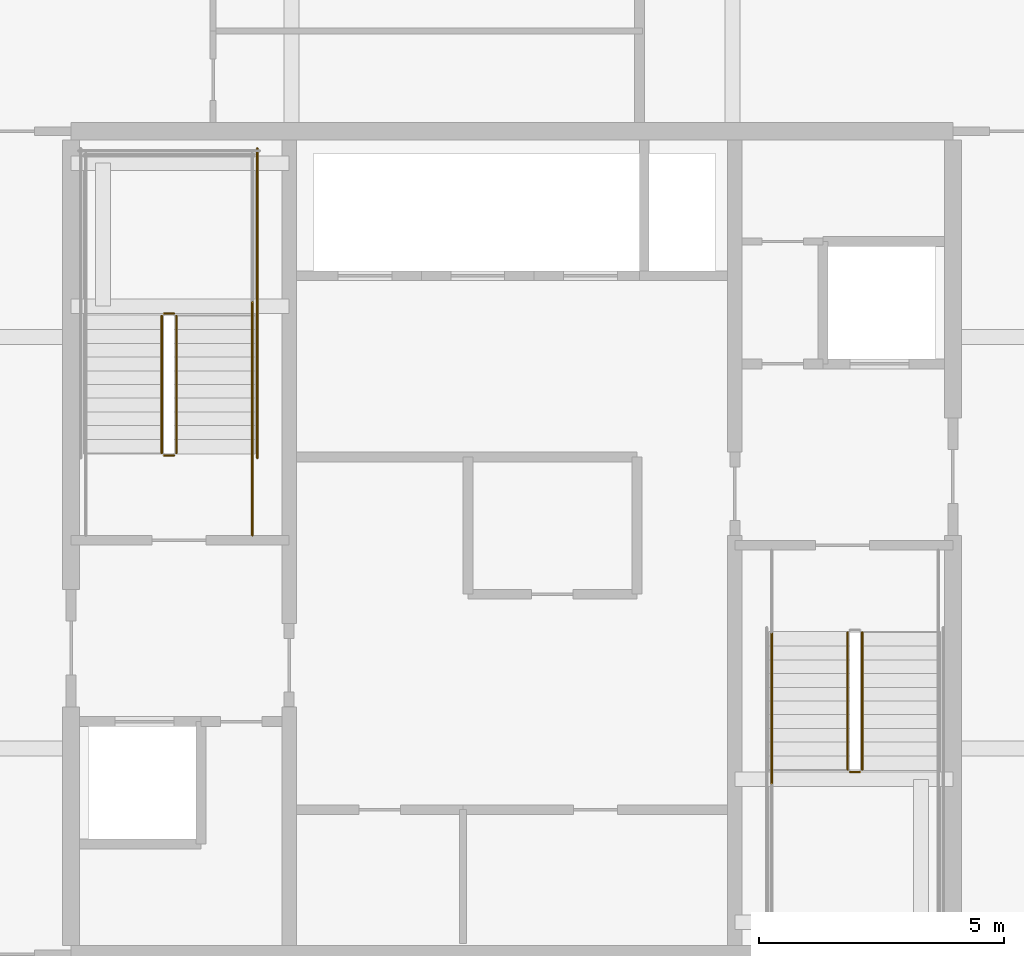
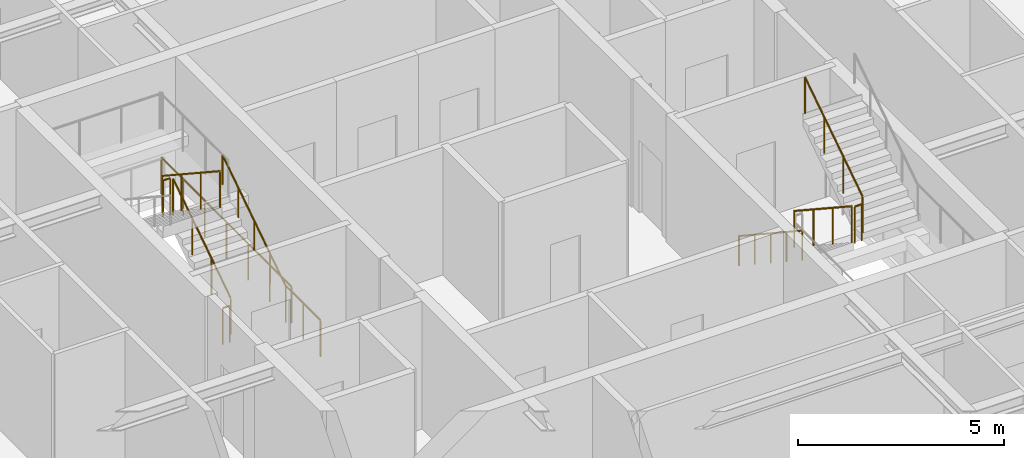
# One storey, part 38 of 41: 11 railings.
"""IFC4 building model written with IfcOpenShell, lengths in metres."""

from ifc_helpers import new_model, si_unit, direction, frame, origin, origin_2d, place, context, subcontext, project, spatial, circle, extrude, material, type_object, element, save


model = new_model("IFC4")

# Units and contexts
model_context = context("Model", 3, precision=1e-05, world=origin(), true_north=direction((0.0, 1.0)))
body_context = subcontext(model_context, "Body", "Model", "MODEL_VIEW")
ifc_project = project(units=[si_unit("LENGTHUNIT", "METRE"), si_unit("AREAUNIT", "SQUARE_METRE"), si_unit("VOLUMEUNIT", "CUBIC_METRE"), si_unit("PLANEANGLEUNIT", "RADIAN"), si_unit("MASSUNIT", "GRAM", prefix="KILO")], contexts=[model_context])

# Site, building, storey
site_placement = place(None, origin())
site = spatial("IfcSite", under=ifc_project, at=site_placement, CompositionType="ELEMENT")
building_placement = place(site_placement, origin())
building = spatial("IfcBuilding", under=site, at=building_placement, Name="Serunith Strait Residences", CompositionType="ELEMENT")
storey_placement = place(building_placement, frame((0.0, 0.0, 301.550048828125)))
storey = spatial("IfcBuildingStorey", under=building, at=storey_placement, Name="L75", CompositionType="ELEMENT", Elevation=301.550048828125)

# Railings
ifc_material = material(Name="Brushed stainless steel 316L", Category="steel")
railing_type_1 = type_object("IfcRailingType", Name="RLG-STAIR-GUARD", PredefinedType="BALUSTRADE", material=ifc_material)
railing_1_placement = place(storey_placement, frame((25.550048828125, 27.030029296875, 0.18408203125)))
element("IfcRailing", 1, at=railing_1_placement, inside=storey, type_object=railing_type_1, Name="L75 ST-1 stair guard 1", PredefinedType="BALUSTRADE", context=body_context, shape_type="SweptSolid", body=[
    extrude(circle(Radius=0.02392578125, at=origin_2d()), frame((0.0, 0.001708984375, 1.0771484375), z_axis=(0.0, 0.835597507184, 0.549342157483), x_axis=(-1.0, 0.0, 0.0)), (0.0, 0.0, 1.0), 3.346923828125),
    extrude(circle(Radius=0.02099609375, at=origin_2d()), origin(), (0.0, 0.0, 1.0), 1.050048828125),
    extrude(circle(Radius=0.02099609375, at=origin_2d()), frame((0.0, 0.933349609375, 0.613525390625)), (0.0, 0.0, 1.0), 1.050048828125),
    extrude(circle(Radius=0.02099609375, at=origin_2d()), frame((0.0, 1.86669921875, 1.227294921875)), (0.0, 0.0, 1.0), 1.050048828125),
    extrude(circle(Radius=0.02099609375, at=origin_2d()), frame((0.0, 2.800048828125, 1.8408203125)), (0.0, 0.0, 1.0), 1.050048828125),
])
railing_2_placement = place(storey_placement, frame((25.5, 29.8798828125, 2.02490234375)))
element("IfcRailing", 2, at=railing_2_placement, inside=storey, type_object=railing_type_1, Name="L75 ST-1 stair guard 2", PredefinedType="BALUSTRADE", context=body_context, shape_type="SweptSolid", body=[
    extrude(circle(Radius=0.02392578125, at=origin_2d()), frame((-0.001953125, 0.0, 1.076171875), z_axis=(-1.0, 0.0, 0.0), x_axis=(0.0, -1.0, 0.0)), (0.0, 0.0, 1.0), 0.196044921875),
    extrude(circle(Radius=0.02099609375, at=origin_2d()), origin(), (0.0, 0.0, 1.0), 1.050048828125),
    extrude(circle(Radius=0.02099609375, at=origin_2d()), frame((-0.199951171875, 0.0, 0.0)), (0.0, 0.0, 1.0), 1.050048828125),
])
railing_3_placement = place(storey_placement, frame((25.25, 29.830078125, 2.208984375)))
element("IfcRailing", 3, at=railing_3_placement, inside=storey, type_object=railing_type_1, Name="L75 ST-1 stair guard 6", PredefinedType="BALUSTRADE", context=body_context, shape_type="SweptSolid", body=[
    extrude(circle(Radius=0.02392578125, at=origin_2d()), frame((0.0, -0.001708984375, 1.0771484375), z_axis=(0.0, -0.83556406348, 0.549393024911), x_axis=(1.0, 0.0, 0.0)), (0.0, 0.0, 1.0), 3.34716796875),
    extrude(circle(Radius=0.02099609375, at=origin_2d()), origin(), (0.0, 0.0, 1.0), 1.050048828125),
    extrude(circle(Radius=0.02099609375, at=origin_2d()), frame((0.0, -0.933349609375, 0.61376953125)), (0.0, 0.0, 1.0), 1.050048828125),
    extrude(circle(Radius=0.02099609375, at=origin_2d()), frame((0.0, -1.86669921875, 1.227294921875)), (0.0, 0.0, 1.0), 1.050048828125),
    extrude(circle(Radius=0.02099609375, at=origin_2d()), frame((0.0, -2.800048828125, 1.841064453125)), (0.0, 0.0, 1.0), 1.050048828125),
])
railing_4_placement = place(storey_placement, frame((25.5, 26.97998046875, 0.0)))
element("IfcRailing", 4, at=railing_4_placement, inside=storey, type_object=railing_type_1, Name="L75 ST-1 stair guard 7", PredefinedType="BALUSTRADE", context=body_context, shape_type="SweptSolid", body=[
    extrude(circle(Radius=0.02392578125, at=origin_2d()), frame((-0.001953125, 0.0, 1.076171875), z_axis=(-1.0, 0.0, 0.0), x_axis=(0.0, -1.0, 0.0)), (0.0, 0.0, 1.0), 0.196044921875),
    extrude(circle(Radius=0.02099609375, at=origin_2d()), origin(), (0.0, 0.0, 1.0), 1.050048828125),
    extrude(circle(Radius=0.02099609375, at=origin_2d()), frame((-0.199951171875, 0.0, 0.0)), (0.0, 0.0, 1.0), 1.050048828125),
])
railing_5_placement = place(storey_placement, frame((27.10009765625, 25.35009765625, 0.0)))
element("IfcRailing", 5, at=railing_5_placement, inside=storey, type_object=railing_type_1, Name="L75 ST-1 stair guard 8", PredefinedType="BALUSTRADE", context=body_context, shape_type="SweptSolid", body=[
    extrude(circle(Radius=0.02392578125, at=origin_2d()), frame((0.0, 0.001953125, 1.076171875), z_axis=(0.0, 1.0, 0.0), x_axis=(-1.0, 0.0, 0.0)), (0.0, 0.0, 1.0), 1.676025390625),
    extrude(circle(Radius=0.02099609375, at=origin_2d()), origin(), (0.0, 0.0, 1.0), 1.050048828125),
    extrude(circle(Radius=0.02099609375, at=origin_2d()), frame((0.0, 0.83984375, 0.0)), (0.0, 0.0, 1.0), 1.050048828125),
    extrude(circle(Radius=0.02099609375, at=origin_2d()), frame((0.0, 1.679931640625, 0.0)), (0.0, 0.0, 1.0), 1.050048828125),
])
railing_6_placement = place(storey_placement, frame((27.199951171875, 26.929931640625, 0.0)))
element("IfcRailing", 6, at=railing_6_placement, inside=storey, type_object=railing_type_1, Name="L75 ST-1 stair guard 10", PredefinedType="BALUSTRADE", context=body_context, shape_type="SweptSolid", body=[
    extrude(circle(Radius=0.02392578125, at=origin_2d()), frame((0.0, 0.001953125, 1.076171875), z_axis=(0.0, 1.0, 0.0), x_axis=(-1.0, 0.0, 0.0)), (0.0, 0.0, 1.0), 6.316162109375),
    extrude(circle(Radius=0.02099609375, at=origin_2d()), origin(), (0.0, 0.0, 1.0), 1.050048828125),
    extrude(circle(Radius=0.02099609375, at=origin_2d()), frame((0.0, 1.05322265625, 0.0)), (0.0, 0.0, 1.0), 1.050048828125),
    extrude(circle(Radius=0.02099609375, at=origin_2d()), frame((0.0, 2.106689453125, 0.0)), (0.0, 0.0, 1.0), 1.050048828125),
    extrude(circle(Radius=0.02099609375, at=origin_2d()), frame((0.0, 3.16015625, 0.0)), (0.0, 0.0, 1.0), 1.050048828125),
    extrude(circle(Radius=0.02099609375, at=origin_2d()), frame((0.0, 4.21337890625, 0.0)), (0.0, 0.0, 1.0), 1.050048828125),
    extrude(circle(Radius=0.02099609375, at=origin_2d()), frame((0.0, 5.2666015625, 0.0)), (0.0, 0.0, 1.0), 1.050048828125),
    extrude(circle(Radius=0.02099609375, at=origin_2d()), frame((0.0, 6.320068359375, 0.0)), (0.0, 0.0, 1.0), 1.050048828125),
])
railing_7_placement = place(storey_placement, frame((39.25, 23.3701171875, 0.18408203125)))
element("IfcRailing", 7, at=railing_7_placement, inside=storey, type_object=railing_type_1, Name="L75 ST-2 stair guard 1", PredefinedType="BALUSTRADE", context=body_context, shape_type="SweptSolid", body=[
    extrude(circle(Radius=0.02392578125, at=origin_2d()), frame((0.0, -0.001708984375, 1.0771484375), z_axis=(0.0, -0.835597507184, 0.549342157483), x_axis=(1.0, 0.0, 0.0)), (0.0, 0.0, 1.0), 3.346923828125),
    extrude(circle(Radius=0.02099609375, at=origin_2d()), origin(), (0.0, 0.0, 1.0), 1.050048828125),
    extrude(circle(Radius=0.02099609375, at=origin_2d()), frame((0.0, -0.933349609375, 0.613525390625)), (0.0, 0.0, 1.0), 1.050048828125),
    extrude(circle(Radius=0.02099609375, at=origin_2d()), frame((0.0, -1.86669921875, 1.227294921875)), (0.0, 0.0, 1.0), 1.050048828125),
    extrude(circle(Radius=0.02099609375, at=origin_2d()), frame((0.0, -2.800048828125, 1.8408203125)), (0.0, 0.0, 1.0), 1.050048828125),
])
railing_8_placement = place(storey_placement, frame((39.300048828125, 20.52001953125, 2.02490234375)))
element("IfcRailing", 8, at=railing_8_placement, inside=storey, type_object=railing_type_1, Name="L75 ST-2 stair guard 2", PredefinedType="BALUSTRADE", context=body_context, shape_type="SweptSolid", body=[
    extrude(circle(Radius=0.02392578125, at=origin_2d()), frame((0.001953125, 0.0, 1.076171875), z_axis=(1.0, 0.0, 0.0), x_axis=(0.0, 1.0, 0.0)), (0.0, 0.0, 1.0), 0.196044921875),
    extrude(circle(Radius=0.02099609375, at=origin_2d()), origin(), (0.0, 0.0, 1.0), 1.050048828125),
    extrude(circle(Radius=0.02099609375, at=origin_2d()), frame((0.199951171875, 0.0, 0.0)), (0.0, 0.0, 1.0), 1.050048828125),
])
railing_9_placement = place(storey_placement, frame((39.550048828125, 20.570068359375, 2.208984375)))
element("IfcRailing", 9, at=railing_9_placement, inside=storey, type_object=railing_type_1, Name="L75 ST-2 stair guard 6", PredefinedType="BALUSTRADE", context=body_context, shape_type="SweptSolid", body=[
    extrude(circle(Radius=0.02392578125, at=origin_2d()), frame((0.0, 0.001708984375, 1.0771484375), z_axis=(0.0, 0.83556406348, 0.549393024911), x_axis=(-1.0, 0.0, 0.0)), (0.0, 0.0, 1.0), 3.34716796875),
    extrude(circle(Radius=0.02099609375, at=origin_2d()), origin(), (0.0, 0.0, 1.0), 1.050048828125),
    extrude(circle(Radius=0.02099609375, at=origin_2d()), frame((0.0, 0.933349609375, 0.61376953125)), (0.0, 0.0, 1.0), 1.050048828125),
    extrude(circle(Radius=0.02099609375, at=origin_2d()), frame((0.0, 1.86669921875, 1.227294921875)), (0.0, 0.0, 1.0), 1.050048828125),
    extrude(circle(Radius=0.02099609375, at=origin_2d()), frame((0.0, 2.800048828125, 1.841064453125)), (0.0, 0.0, 1.0), 1.050048828125),
])
railing_type_2 = type_object("IfcRailingType", Name="RLG-STAIR-HR", PredefinedType="HANDRAIL", material=ifc_material)
railing_10_placement = place(storey_placement, frame((27.10009765625, 27.030029296875, 0.18408203125)))
element("IfcRailing", 10, at=railing_10_placement, inside=storey, type_object=railing_type_2, Name="L75 ST-1 stair handrail 1", PredefinedType="HANDRAIL", context=body_context, shape_type="SweptSolid", body=[
    extrude(circle(Radius=0.02392578125, at=origin_2d()), frame((0.0, 0.001708984375, 0.876953125), z_axis=(0.0, 0.83496096917, 0.550309167616), x_axis=(-1.0, 0.0, 0.0)), (0.0, 0.0, 1.0), 3.684814453125),
    extrude(circle(Radius=0.02099609375, at=origin_2d()), origin(), (0.0, 0.0, 1.0), 0.849853515625),
    extrude(circle(Radius=0.02099609375, at=origin_2d()), frame((0.0, 0.77001953125, 0.507568359375)), (0.0, 0.0, 1.0), 0.849853515625),
    extrude(circle(Radius=0.02099609375, at=origin_2d()), frame((0.0, 1.5400390625, 1.01513671875)), (0.0, 0.0, 1.0), 0.849853515625),
    extrude(circle(Radius=0.02099609375, at=origin_2d()), frame((0.0, 2.31005859375, 1.5224609375)), (0.0, 0.0, 1.0), 0.849853515625),
    extrude(circle(Radius=0.02099609375, at=origin_2d()), frame((0.0, 3.080078125, 2.030029296875)), (0.0, 0.0, 1.0), 0.849853515625),
])
railing_11_placement = place(storey_placement, frame((37.699951171875, 23.3701171875, 0.18408203125)))
element("IfcRailing", 11, at=railing_11_placement, inside=storey, type_object=railing_type_2, Name="L75 ST-2 stair handrail 1", PredefinedType="HANDRAIL", context=body_context, shape_type="SweptSolid", body=[
    extrude(circle(Radius=0.02392578125, at=origin_2d()), frame((0.0, -0.001708984375, 0.876953125), z_axis=(0.0, -0.83496096917, 0.550309167616), x_axis=(1.0, 0.0, 0.0)), (0.0, 0.0, 1.0), 3.684814453125),
    extrude(circle(Radius=0.02099609375, at=origin_2d()), origin(), (0.0, 0.0, 1.0), 0.849853515625),
    extrude(circle(Radius=0.02099609375, at=origin_2d()), frame((0.0, -0.77001953125, 0.507568359375)), (0.0, 0.0, 1.0), 0.849853515625),
    extrude(circle(Radius=0.02099609375, at=origin_2d()), frame((0.0, -1.5400390625, 1.01513671875)), (0.0, 0.0, 1.0), 0.849853515625),
    extrude(circle(Radius=0.02099609375, at=origin_2d()), frame((0.0, -2.31005859375, 1.5224609375)), (0.0, 0.0, 1.0), 0.849853515625),
    extrude(circle(Radius=0.02099609375, at=origin_2d()), frame((0.0, -3.080078125, 2.030029296875)), (0.0, 0.0, 1.0), 0.849853515625),
])

save(model, "model.ifc")
